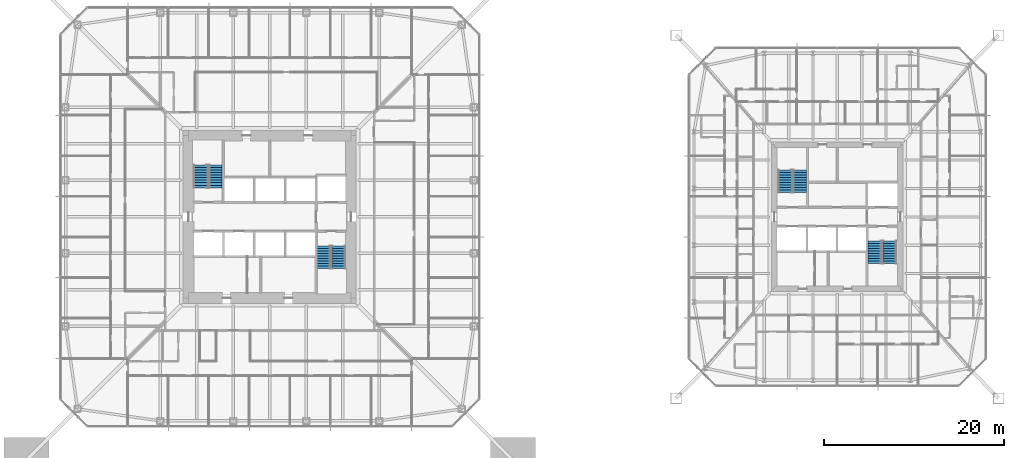
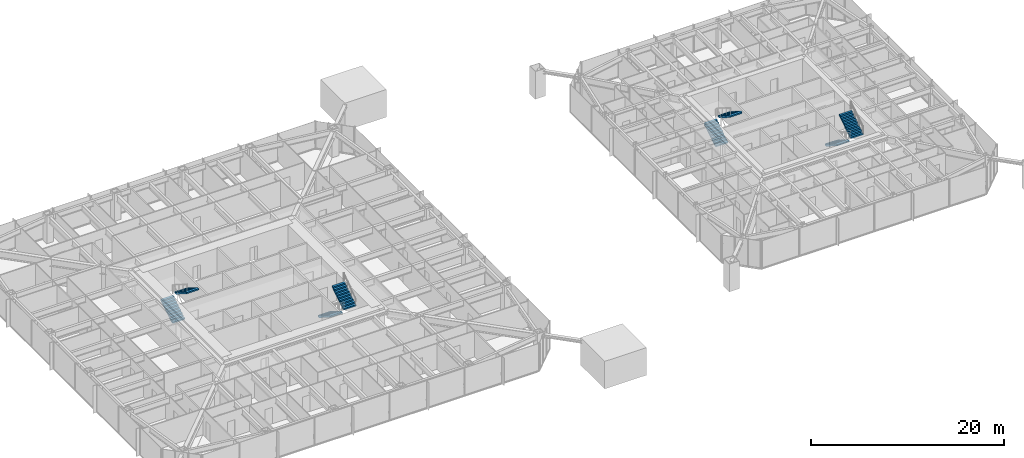
# One storey, part 22 of 26: 8 stair flights, 4 elements without a shape of their own.
"""IFC4 building model written with IfcOpenShell, lengths in metres."""

from ifc_helpers import new_model, si_unit, direction, frame, origin, place, context, subcontext, project, spatial, polyline, outline, extrude, material, constituent, constituent_set, type_object, element, aggregate, save


model = new_model("IFC4")

# Units and contexts
model_context = context("Model", 3, precision=1e-05, world=origin(), true_north=direction((0.0, 1.0)))
body_context = subcontext(model_context, "Body", "Model", "MODEL_VIEW")
ifc_project = project(units=[si_unit("LENGTHUNIT", "METRE"), si_unit("AREAUNIT", "SQUARE_METRE"), si_unit("VOLUMEUNIT", "CUBIC_METRE"), si_unit("PLANEANGLEUNIT", "RADIAN"), si_unit("MASSUNIT", "GRAM", prefix="KILO")], contexts=[model_context])

# Site, building, storey
site_placement = place(None, origin())
site = spatial("IfcSite", under=ifc_project, at=site_placement, CompositionType="ELEMENT")
building_placement = place(site_placement, origin())
building = spatial("IfcBuilding", under=site, at=building_placement, Name="Iwan Alto Co-Living Towers", CompositionType="ELEMENT")
storey_placement = place(building_placement, frame((0.0, 0.0, 18.5)))
storey = spatial("IfcBuildingStorey", under=building, at=storey_placement, Name="L04", CompositionType="ELEMENT", Elevation=18.5)

# Stair, stair flights
ifc_material_1 = material(Name="Steel ASTM A36", Category="steel")
ifc_constituent_1 = constituent(ifc_material_1, Name="Stringers", Category="LoadBearing")
ifc_material_2 = material(Name="Concrete f'c 30 MPa", Category="concrete")
ifc_constituent_2 = constituent(ifc_material_2, Name="Tread fill", Category="Finish")
ifc_constituent_set_1 = constituent_set(constituents=[ifc_constituent_1, ifc_constituent_2], Name="STAIR 3500 TWO-FLIGHT T1 CORE")
stair_type_1 = type_object("IfcStairType", Name="STAIR 3500 TWO-FLIGHT T1 CORE", PredefinedType="HALF_TURN_STAIR", material=ifc_constituent_set_1)
stair_1_placement = place(storey_placement, origin())
stair_1 = element("IfcStair", 1, at=stair_1_placement, inside=storey, type_object=stair_type_1, Name="Stair T1-S1 L04 to L05", PredefinedType="HALF_TURN_STAIR")
ifc_constituent_3 = constituent(ifc_material_1, Name="Stringers", Category="LoadBearing")
ifc_constituent_4 = constituent(ifc_material_2, Name="Tread fill", Category="Finish")
ifc_constituent_set_2 = constituent_set(constituents=[ifc_constituent_3, ifc_constituent_4], Name="STAIR FLIGHT 10 RISERS 280 GOING")
stair_flight_type = type_object("IfcStairFlightType", Name="STAIR FLIGHT 10 RISERS 280 GOING", PredefinedType="STRAIGHT", material=ifc_constituent_set_2)
stair_flight_1_placement = place(storey_placement, frame((-7.68994140625, 3.219970703125, 0.0), z_axis=(0.0, 0.0, 1.0), x_axis=(0.0, 1.0, 0.0)))
stair_flight_1 = element("IfcStairFlight", 2, at=stair_flight_1_placement, type_object=stair_flight_type, Name="T1-S1 flight 1", NumberOfRisers=10, NumberOfTreads=9, PredefinedType="STRAIGHT", RiserHeight=0.175, TreadLength=0.28, context=body_context, shape_type="SweptSolid", body=[
    extrude(outline(polyline([(0.0, 0.0), (0.0, 0.175048828125), (0.280029296875, 0.175048828125), (0.280029296875, 0.35009765625), (0.56005859375, 0.35009765625), (0.56005859375, 0.52490234375), (0.840087890625, 0.52490234375), (0.840087890625, 0.699951171875), (1.1201171875, 0.699951171875), (1.1201171875, 0.875), (1.39990234375, 0.875), (1.39990234375, 1.050048828125), (1.679931640625, 1.050048828125), (1.679931640625, 1.22509765625), (1.9599609375, 1.22509765625), (1.9599609375, 1.39990234375), (2.239990234375, 1.39990234375), (2.239990234375, 1.574951171875), (2.52001953125, 1.574951171875), (2.52001953125, 1.75), (2.52001953125, 1.398193359375), (0.28271484375, 0.0), (0.0, 0.0)])), frame((0.0, 0.739990234375, 0.0), z_axis=(0.0, -1.0, 0.0), x_axis=(1.0, 0.0, 0.0)), (0.0, 0.0, 1.0), 1.47998046875),
])
stair_flight_2_placement = place(storey_placement, frame((-6.010009765625, 5.739990234375, 1.75), z_axis=(0.0, 0.0, 1.0), x_axis=(0.0, -1.0, 0.0)))
stair_flight_2 = element("IfcStairFlight", 3, at=stair_flight_2_placement, type_object=stair_flight_type, Name="T1-S1 flight 2", NumberOfRisers=10, NumberOfTreads=9, PredefinedType="STRAIGHT", RiserHeight=0.175, TreadLength=0.28, context=body_context, shape_type="SweptSolid", body=[
    extrude(outline(polyline([(0.0, 0.0), (0.0, 0.175048828125), (0.280029296875, 0.175048828125), (0.280029296875, 0.35009765625), (0.56005859375, 0.35009765625), (0.56005859375, 0.52490234375), (0.840087890625, 0.52490234375), (0.840087890625, 0.699951171875), (1.1201171875, 0.699951171875), (1.1201171875, 0.875), (1.39990234375, 0.875), (1.39990234375, 1.050048828125), (1.679931640625, 1.050048828125), (1.679931640625, 1.22509765625), (1.9599609375, 1.22509765625), (1.9599609375, 1.39990234375), (2.239990234375, 1.39990234375), (2.239990234375, 1.574951171875), (2.52001953125, 1.574951171875), (2.52001953125, 1.75), (2.52001953125, 1.398193359375), (0.28271484375, 0.0), (0.0, 0.0)])), frame((0.0, 0.739990234375, 0.0), z_axis=(0.0, -1.0, 0.0), x_axis=(1.0, 0.0, 0.0)), (0.0, 0.0, 1.0), 1.47998046875),
])
aggregate(stair_1, [stair_flight_1, stair_flight_2])

stair_2_placement = place(storey_placement, origin())
stair_2 = element("IfcStair", 4, at=stair_2_placement, inside=storey, type_object=stair_type_1, Name="Stair T1-S2 L04 to L05", PredefinedType="HALF_TURN_STAIR")
stair_flight_3_placement = place(storey_placement, frame((6.010009765625, -3.219970703125, 0.0), z_axis=(0.0, 0.0, 1.0), x_axis=(0.0, -1.0, 0.0)))
stair_flight_3 = element("IfcStairFlight", 5, at=stair_flight_3_placement, type_object=stair_flight_type, Name="T1-S2 flight 1", NumberOfRisers=10, NumberOfTreads=9, PredefinedType="STRAIGHT", RiserHeight=0.175, TreadLength=0.28, context=body_context, shape_type="SweptSolid", body=[
    extrude(outline(polyline([(0.0, 0.0), (0.0, 0.175048828125), (0.280029296875, 0.175048828125), (0.280029296875, 0.35009765625), (0.56005859375, 0.35009765625), (0.56005859375, 0.52490234375), (0.840087890625, 0.52490234375), (0.840087890625, 0.699951171875), (1.1201171875, 0.699951171875), (1.1201171875, 0.875), (1.39990234375, 0.875), (1.39990234375, 1.050048828125), (1.679931640625, 1.050048828125), (1.679931640625, 1.22509765625), (1.9599609375, 1.22509765625), (1.9599609375, 1.39990234375), (2.239990234375, 1.39990234375), (2.239990234375, 1.574951171875), (2.52001953125, 1.574951171875), (2.52001953125, 1.75), (2.52001953125, 1.398193359375), (0.28271484375, 0.0), (0.0, 0.0)])), frame((0.0, 0.739990234375, 0.0), z_axis=(0.0, -1.0, 0.0), x_axis=(1.0, 0.0, 0.0)), (0.0, 0.0, 1.0), 1.47998046875),
])
stair_flight_4_placement = place(storey_placement, frame((7.68994140625, -5.739990234375, 1.75), z_axis=(0.0, 0.0, 1.0), x_axis=(0.0, 1.0, 0.0)))
stair_flight_4 = element("IfcStairFlight", 6, at=stair_flight_4_placement, type_object=stair_flight_type, Name="T1-S2 flight 2", NumberOfRisers=10, NumberOfTreads=9, PredefinedType="STRAIGHT", RiserHeight=0.175, TreadLength=0.28, context=body_context, shape_type="SweptSolid", body=[
    extrude(outline(polyline([(0.0, 0.0), (0.0, 0.175048828125), (0.280029296875, 0.175048828125), (0.280029296875, 0.35009765625), (0.56005859375, 0.35009765625), (0.56005859375, 0.52490234375), (0.840087890625, 0.52490234375), (0.840087890625, 0.699951171875), (1.1201171875, 0.699951171875), (1.1201171875, 0.875), (1.39990234375, 0.875), (1.39990234375, 1.050048828125), (1.679931640625, 1.050048828125), (1.679931640625, 1.22509765625), (1.9599609375, 1.22509765625), (1.9599609375, 1.39990234375), (2.239990234375, 1.39990234375), (2.239990234375, 1.574951171875), (2.52001953125, 1.574951171875), (2.52001953125, 1.75), (2.52001953125, 1.398193359375), (0.28271484375, 0.0), (0.0, 0.0)])), frame((0.0, 0.739990234375, 0.0), z_axis=(0.0, -1.0, 0.0), x_axis=(1.0, 0.0, 0.0)), (0.0, 0.0, 1.0), 1.47998046875),
])
aggregate(stair_2, [stair_flight_3, stair_flight_4])

ifc_constituent_5 = constituent(ifc_material_1, Name="Stringers", Category="LoadBearing")
ifc_constituent_6 = constituent(ifc_material_2, Name="Tread fill", Category="Finish")
ifc_constituent_set_3 = constituent_set(constituents=[ifc_constituent_5, ifc_constituent_6], Name="STAIR 3500 TWO-FLIGHT T2 CORE")
stair_type_2 = type_object("IfcStairType", Name="STAIR 3500 TWO-FLIGHT T2 CORE", PredefinedType="HALF_TURN_STAIR", material=ifc_constituent_set_3)
stair_3_placement = place(storey_placement, origin())
stair_3 = element("IfcStair", 7, at=stair_3_placement, inside=storey, type_object=stair_type_2, Name="Stair T2-S1 L04 to L05", PredefinedType="HALF_TURN_STAIR")
stair_flight_5_placement = place(storey_placement, frame((57.159912109375, 2.669921875, 0.0), z_axis=(0.0, 0.0, 1.0), x_axis=(0.0, 1.0, 0.0)))
stair_flight_5 = element("IfcStairFlight", 8, at=stair_flight_5_placement, type_object=stair_flight_type, Name="T2-S1 flight 1", NumberOfRisers=10, NumberOfTreads=9, PredefinedType="STRAIGHT", RiserHeight=0.175, TreadLength=0.28, context=body_context, shape_type="SweptSolid", body=[
    extrude(outline(polyline([(0.0, 0.0), (0.0, 0.175048828125), (0.280029296875, 0.175048828125), (0.280029296875, 0.35009765625), (0.56005859375, 0.35009765625), (0.56005859375, 0.52490234375), (0.840087890625, 0.52490234375), (0.840087890625, 0.699951171875), (1.1201171875, 0.699951171875), (1.1201171875, 0.875), (1.39990234375, 0.875), (1.39990234375, 1.050048828125), (1.679931640625, 1.050048828125), (1.679931640625, 1.22509765625), (1.9599609375, 1.22509765625), (1.9599609375, 1.39990234375), (2.239990234375, 1.39990234375), (2.239990234375, 1.574951171875), (2.52001953125, 1.574951171875), (2.52001953125, 1.75), (2.52001953125, 1.398193359375), (0.28271484375, 0.0), (0.0, 0.0)])), frame((0.0, 0.739990234375, 0.0), z_axis=(0.0, -1.0, 0.0), x_axis=(1.0, 0.0, 0.0)), (0.0, 0.0, 1.0), 1.47998046875),
])
stair_flight_6_placement = place(storey_placement, frame((58.840087890625, 5.18994140625, 1.75), z_axis=(0.0, 0.0, 1.0), x_axis=(0.0, -1.0, 0.0)))
stair_flight_6 = element("IfcStairFlight", 9, at=stair_flight_6_placement, type_object=stair_flight_type, Name="T2-S1 flight 2", NumberOfRisers=10, NumberOfTreads=9, PredefinedType="STRAIGHT", RiserHeight=0.175, TreadLength=0.28, context=body_context, shape_type="SweptSolid", body=[
    extrude(outline(polyline([(0.0, 0.0), (0.0, 0.175048828125), (0.280029296875, 0.175048828125), (0.280029296875, 0.35009765625), (0.56005859375, 0.35009765625), (0.56005859375, 0.52490234375), (0.840087890625, 0.52490234375), (0.840087890625, 0.699951171875), (1.1201171875, 0.699951171875), (1.1201171875, 0.875), (1.39990234375, 0.875), (1.39990234375, 1.050048828125), (1.679931640625, 1.050048828125), (1.679931640625, 1.22509765625), (1.9599609375, 1.22509765625), (1.9599609375, 1.39990234375), (2.239990234375, 1.39990234375), (2.239990234375, 1.574951171875), (2.52001953125, 1.574951171875), (2.52001953125, 1.75), (2.52001953125, 1.398193359375), (0.28271484375, 0.0), (0.0, 0.0)])), frame((0.0, 0.739990234375, 0.0), z_axis=(0.0, -1.0, 0.0), x_axis=(1.0, 0.0, 0.0)), (0.0, 0.0, 1.0), 1.47998046875),
])
aggregate(stair_3, [stair_flight_5, stair_flight_6])

stair_4_placement = place(storey_placement, origin())
stair_4 = element("IfcStair", 10, at=stair_4_placement, inside=storey, type_object=stair_type_2, Name="Stair T2-S2 L04 to L05", PredefinedType="HALF_TURN_STAIR")
stair_flight_7_placement = place(storey_placement, frame((67.159912109375, -2.669921875, 0.0), z_axis=(0.0, 0.0, 1.0), x_axis=(0.0, -1.0, 0.0)))
stair_flight_7 = element("IfcStairFlight", 11, at=stair_flight_7_placement, type_object=stair_flight_type, Name="T2-S2 flight 1", NumberOfRisers=10, NumberOfTreads=9, PredefinedType="STRAIGHT", RiserHeight=0.175, TreadLength=0.28, context=body_context, shape_type="SweptSolid", body=[
    extrude(outline(polyline([(0.0, 0.0), (0.0, 0.175048828125), (0.280029296875, 0.175048828125), (0.280029296875, 0.35009765625), (0.56005859375, 0.35009765625), (0.56005859375, 0.52490234375), (0.840087890625, 0.52490234375), (0.840087890625, 0.699951171875), (1.1201171875, 0.699951171875), (1.1201171875, 0.875), (1.39990234375, 0.875), (1.39990234375, 1.050048828125), (1.679931640625, 1.050048828125), (1.679931640625, 1.22509765625), (1.9599609375, 1.22509765625), (1.9599609375, 1.39990234375), (2.239990234375, 1.39990234375), (2.239990234375, 1.574951171875), (2.52001953125, 1.574951171875), (2.52001953125, 1.75), (2.52001953125, 1.398193359375), (0.28271484375, 0.0), (0.0, 0.0)])), frame((0.0, 0.739990234375, 0.0), z_axis=(0.0, -1.0, 0.0), x_axis=(1.0, 0.0, 0.0)), (0.0, 0.0, 1.0), 1.47998046875),
])
stair_flight_8_placement = place(storey_placement, frame((68.840087890625, -5.18994140625, 1.75), z_axis=(0.0, 0.0, 1.0), x_axis=(0.0, 1.0, 0.0)))
stair_flight_8 = element("IfcStairFlight", 12, at=stair_flight_8_placement, type_object=stair_flight_type, Name="T2-S2 flight 2", NumberOfRisers=10, NumberOfTreads=9, PredefinedType="STRAIGHT", RiserHeight=0.175, TreadLength=0.28, context=body_context, shape_type="SweptSolid", body=[
    extrude(outline(polyline([(0.0, 0.0), (0.0, 0.175048828125), (0.280029296875, 0.175048828125), (0.280029296875, 0.35009765625), (0.56005859375, 0.35009765625), (0.56005859375, 0.52490234375), (0.840087890625, 0.52490234375), (0.840087890625, 0.699951171875), (1.1201171875, 0.699951171875), (1.1201171875, 0.875), (1.39990234375, 0.875), (1.39990234375, 1.050048828125), (1.679931640625, 1.050048828125), (1.679931640625, 1.22509765625), (1.9599609375, 1.22509765625), (1.9599609375, 1.39990234375), (2.239990234375, 1.39990234375), (2.239990234375, 1.574951171875), (2.52001953125, 1.574951171875), (2.52001953125, 1.75), (2.52001953125, 1.398193359375), (0.28271484375, 0.0), (0.0, 0.0)])), frame((0.0, 0.739990234375, 0.0), z_axis=(0.0, -1.0, 0.0), x_axis=(1.0, 0.0, 0.0)), (0.0, 0.0, 1.0), 1.47998046875),
])
aggregate(stair_4, [stair_flight_7, stair_flight_8])

save(model, "model.ifc")
